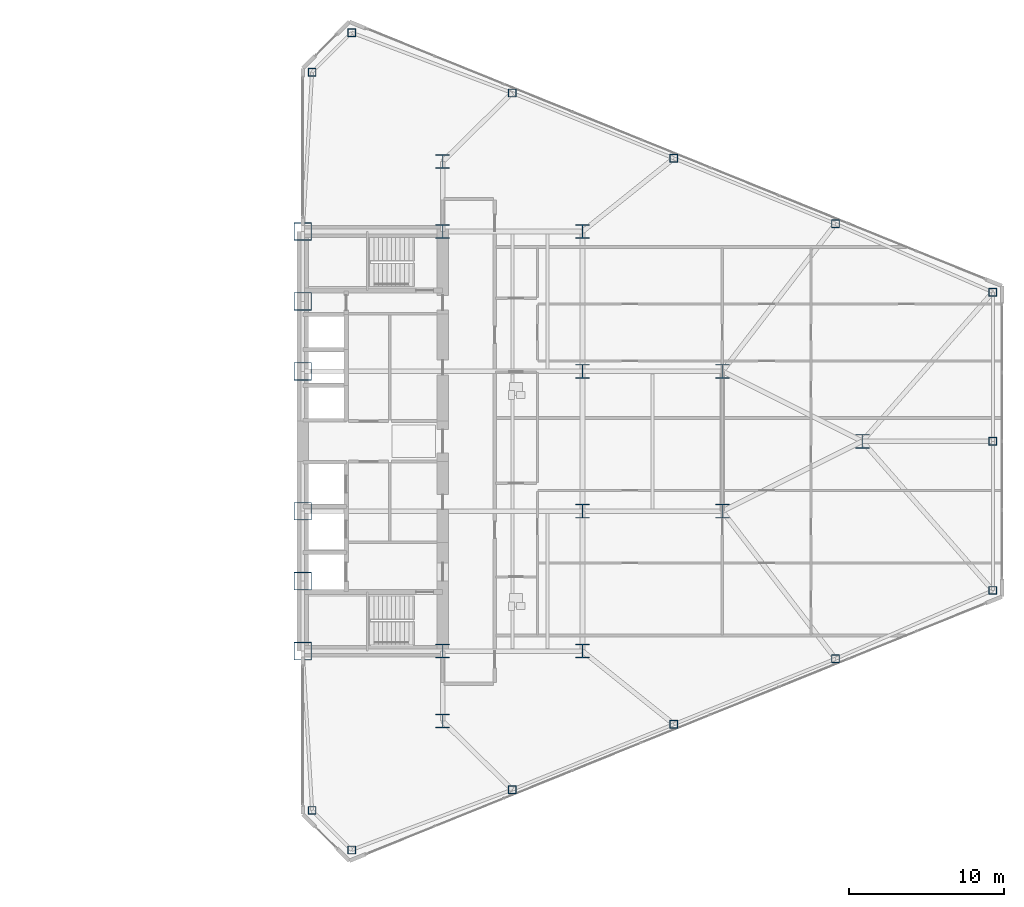
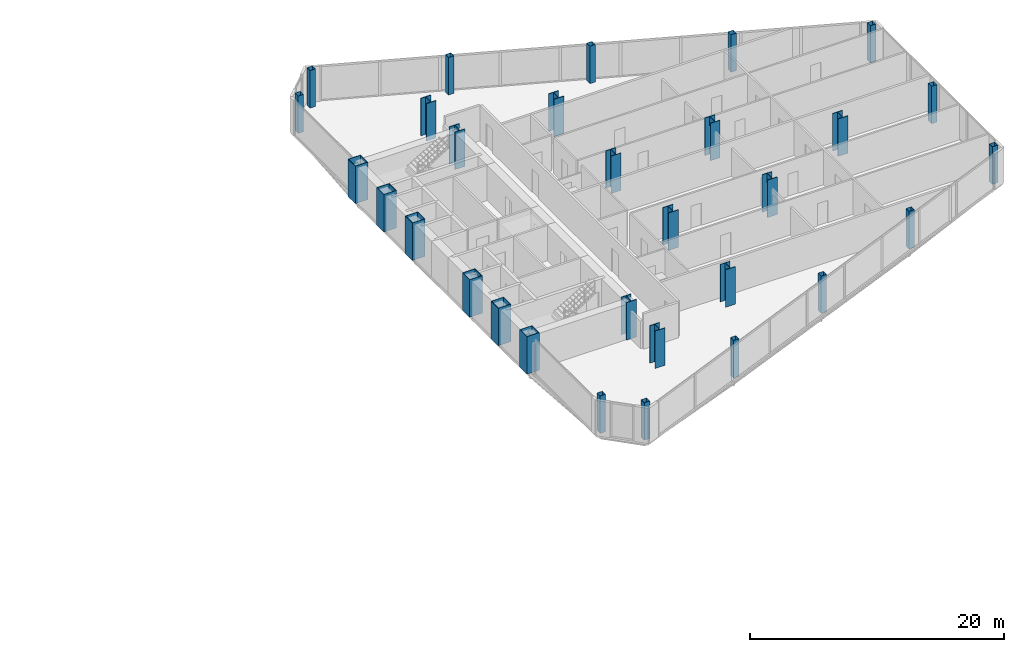
# One storey, part 2 of 25: 30 columns.
"""IFC4 building model written with IfcOpenShell, lengths in metres."""

from ifc_helpers import new_model, si_unit, direction, frame, origin, origin_2d, place, context, subcontext, project, spatial, hollow_rectangle, i_section, extrude, source, transform, mapped, material, material_profile, profile_set, type_object, type_shapes, element, save


model = new_model("IFC4")

# Units and contexts
model_context = context("Model", 3, precision=1e-05, world=origin(), true_north=direction((0.0, 1.0)))
body_context = subcontext(model_context, "Body", "Model", "MODEL_VIEW")
ifc_project = project(units=[si_unit("LENGTHUNIT", "METRE"), si_unit("AREAUNIT", "SQUARE_METRE"), si_unit("VOLUMEUNIT", "CUBIC_METRE"), si_unit("PLANEANGLEUNIT", "RADIAN"), si_unit("MASSUNIT", "GRAM", prefix="KILO")], contexts=[model_context])

# Site, building, storey
site_placement = place(None, origin())
site = spatial("IfcSite", under=ifc_project, at=site_placement, CompositionType="ELEMENT")
building_placement = place(site_placement, origin())
building = spatial("IfcBuilding", under=site, at=building_placement, Name="Seokmaru Belvedere", CompositionType="ELEMENT")
storey_placement = place(building_placement, frame((0.0, 0.0, 44.10009765625)))
storey = spatial("IfcBuildingStorey", under=building, at=storey_placement, Name="L11", CompositionType="ELEMENT", Elevation=44.10009765625)

# Columns
ifc_material_1 = material(Name="Steel HSA650 (650 MPa)", Category="steel")
ifc_material_profile_1 = material_profile(ifc_material_1, hollow_rectangle(XDim=1.14990234375, YDim=1.14990234375, WallThickness=0.048095703125, at=origin_2d()), Name="BOX-1150x1150x48")
ifc_profile_set_1 = profile_set([ifc_material_profile_1], Name="Steel HSA650 (650 MPa)")
column_type_1 = type_object("IfcColumnType", Name="Portal Spine Column BOX-1150", PredefinedType="COLUMN", material=ifc_profile_set_1)
shared_shape_1 = source(origin(), body_context, "Body", "SweptSolid", [
    extrude(hollow_rectangle(XDim=1.14990234375, YDim=1.14990234375, WallThickness=0.048095703125, at=origin_2d()), origin(), (0.0, 0.0, 1.0), 3.599853515625),
])
type_shapes(column_type_1, [shared_shape_1])
for number, where, z_axis, x_axis, name in (
    (1, (27.5, -13.5, 0.0), (0.0, 0.0, 1.0), (1.0, 0.0, 0.0), "L11 Column ES1"),
    (2, (27.5, -9.0, 0.0), (0.0, 0.0, 1.0), (1.0, 0.0, 0.0), "L11 Column ES2"),
    (3, (27.5, -4.5, 0.0), (0.0, 0.0, 1.0), (1.0, 0.0, 0.0), "L11 Column ES3"),
    (4, (27.5, 4.5, 0.0), (0.0, 0.0, 1.0), (1.0, 0.0, 0.0), "L11 Column ES4"),
    (5, (27.5, 9.0, 0.0), (0.0, 0.0, 1.0), (1.0, 0.0, 0.0), "L11 Column ES5"),
    (6, (27.5, 13.5, 0.0), (0.0, 0.0, 1.0), (1.0, 0.0, 0.0), "L11 Column ES6"),
):
    element("IfcColumn", number, at=place(storey_placement, frame(where, z_axis=z_axis, x_axis=x_axis)), inside=storey, type_object=column_type_1, Name=name, PredefinedType="COLUMN", context=body_context, shape_type="MappedRepresentation", body=[
        mapped(shared_shape_1, transform((0.0, 0.0, 0.0), scale=1.0)),
    ])
ifc_material_profile_2 = material_profile(ifc_material_1, i_section(OverallWidth=0.89990234375, OverallDepth=0.89990234375, WebThickness=0.035888671875, FlangeThickness=0.054931640625, at=origin_2d()), Name="H-900x900x36x55")
ifc_profile_set_2 = profile_set([ifc_material_profile_2], Name="Steel HSA650 (650 MPa)")
column_type_2 = type_object("IfcColumnType", Name="Lower Interior Column H-900", PredefinedType="COLUMN", material=ifc_profile_set_2)
shared_shape_2 = source(origin(), body_context, "Body", "SweptSolid", [
    extrude(i_section(OverallWidth=0.89990234375, OverallDepth=0.89990234375, WebThickness=0.035888671875, FlangeThickness=0.054931640625, at=origin_2d()), origin(), (0.0, 0.0, 1.0), 3.599853515625),
])
type_shapes(column_type_2, [shared_shape_2])
for number, where, z_axis, x_axis, name in (
    (7, (36.5, -18.0, 0.0), (0.0, 0.0, 1.0), (1.0, 0.0, 0.0), "L11 Column EC1"),
    (8, (36.5, -13.5, 0.0), (0.0, 0.0, 1.0), (1.0, 0.0, 0.0), "L11 Column EC2"),
    (9, (36.5, 13.5, 0.0), (0.0, 0.0, 1.0), (1.0, 0.0, 0.0), "L11 Column EC3"),
    (10, (36.5, 18.0, 0.0), (0.0, 0.0, 1.0), (1.0, 0.0, 0.0), "L11 Column EC4"),
    (11, (45.5, -13.5, 0.0), (0.0, 0.0, 1.0), (1.0, 0.0, 0.0), "L11 Column EG5_1"),
    (12, (45.5, -4.5, 0.0), (0.0, 0.0, 1.0), (1.0, 0.0, 0.0), "L11 Column EG5_2"),
    (13, (45.5, 4.5, 0.0), (0.0, 0.0, 1.0), (1.0, 0.0, 0.0), "L11 Column EG5_3"),
    (14, (45.5, 13.5, 0.0), (0.0, 0.0, 1.0), (1.0, 0.0, 0.0), "L11 Column EG5_4"),
    (15, (54.5, -4.5, 0.0), (0.0, 0.0, 1.0), (1.0, 0.0, 0.0), "L11 Column EG4P_1"),
    (16, (54.5, 4.5, 0.0), (0.0, 0.0, 1.0), (1.0, 0.0, 0.0), "L11 Column EG4P_2"),
    (17, (63.5, 0.0, 0.0), (0.0, 0.0, 1.0), (1.0, 0.0, 0.0), "L11 Column EG3P_1"),
):
    element("IfcColumn", number, at=place(storey_placement, frame(where, z_axis=z_axis, x_axis=x_axis)), inside=storey, type_object=column_type_2, Name=name, PredefinedType="COLUMN", context=body_context, shape_type="MappedRepresentation", body=[
        mapped(shared_shape_2, transform((0.0, 0.0, 0.0), scale=1.0)),
    ])
ifc_material_2 = material(Name="Steel SM355 (355 MPa)", Category="steel")
ifc_material_profile_3 = material_profile(ifc_material_2, hollow_rectangle(XDim=0.5, YDim=0.5, WallThickness=0.02001953125, at=origin_2d()), Name="HSS-500x500x20")
ifc_profile_set_3 = profile_set([ifc_material_profile_3], Name="Steel SM355 (355 MPa)")
column_type_3 = type_object("IfcColumnType", Name="Perimeter Facet Column HSS-500", PredefinedType="COLUMN", material=ifc_profile_set_3)
shared_shape_3 = source(origin(), body_context, "Body", "SweptSolid", [
    extrude(hollow_rectangle(XDim=0.5, YDim=0.5, WallThickness=0.02001953125, at=origin_2d()), origin(), (0.0, 0.0, 1.0), 3.599853515625),
])
type_shapes(column_type_3, [shared_shape_3])
for number, where, z_axis, x_axis, name in (
    (18, (30.643310546875, -26.294677734375, 0.0), (0.0, 0.0, 1.0), (1.0, 0.0, 0.0), "L11 Column EF1"),
    (19, (71.89990234375, -9.595703125, 0.0), (0.0, 0.0, 1.0), (1.0, 0.0, 0.0), "L11 Column EF2"),
    (20, (71.89990234375, 9.595703125, 0.0), (0.0, 0.0, 1.0), (1.0, 0.0, 0.0), "L11 Column EF3"),
    (21, (30.643310546875, 26.294677734375, 0.0), (0.0, 0.0, 1.0), (1.0, 0.0, 0.0), "L11 Column EF4"),
    (22, (28.10009765625, 23.75146484375, 0.0), (0.0, 0.0, 1.0), (1.0, 0.0, 0.0), "L11 Column EF5"),
    (23, (28.10009765625, -23.75146484375, 0.0), (0.0, 0.0, 1.0), (1.0, 0.0, 0.0), "L11 Column EF6"),
    (24, (40.977294921875, -22.4140625, 0.0), (0.0, 0.0, 1.0), (1.0, 0.0, 0.0), "L11 Column EFLK_S1"),
    (25, (51.378173828125, -18.2041015625, 0.0), (0.0, 0.0, 1.0), (1.0, 0.0, 0.0), "L11 Column EFLK_S2"),
    (26, (61.779052734375, -13.994140625, 0.0), (0.0, 0.0, 1.0), (1.0, 0.0, 0.0), "L11 Column EFLK_S3"),
    (27, (40.977294921875, 22.4140625, 0.0), (0.0, 0.0, 1.0), (1.0, 0.0, 0.0), "L11 Column EFLK_N1"),
    (28, (51.378173828125, 18.2041015625, 0.0), (0.0, 0.0, 1.0), (1.0, 0.0, 0.0), "L11 Column EFLK_N2"),
    (29, (61.779052734375, 13.994140625, 0.0), (0.0, 0.0, 1.0), (1.0, 0.0, 0.0), "L11 Column EFLK_N3"),
    (30, (71.89990234375, 0.0, 0.0), (0.0, 0.0, 1.0), (1.0, 0.0, 0.0), "L11 Column EF_APXM"),
):
    element("IfcColumn", number, at=place(storey_placement, frame(where, z_axis=z_axis, x_axis=x_axis)), inside=storey, type_object=column_type_3, Name=name, PredefinedType="COLUMN", context=body_context, shape_type="MappedRepresentation", body=[
        mapped(shared_shape_3, transform((0.0, 0.0, 0.0), scale=1.0)),
    ])

save(model, "model.ifc")
